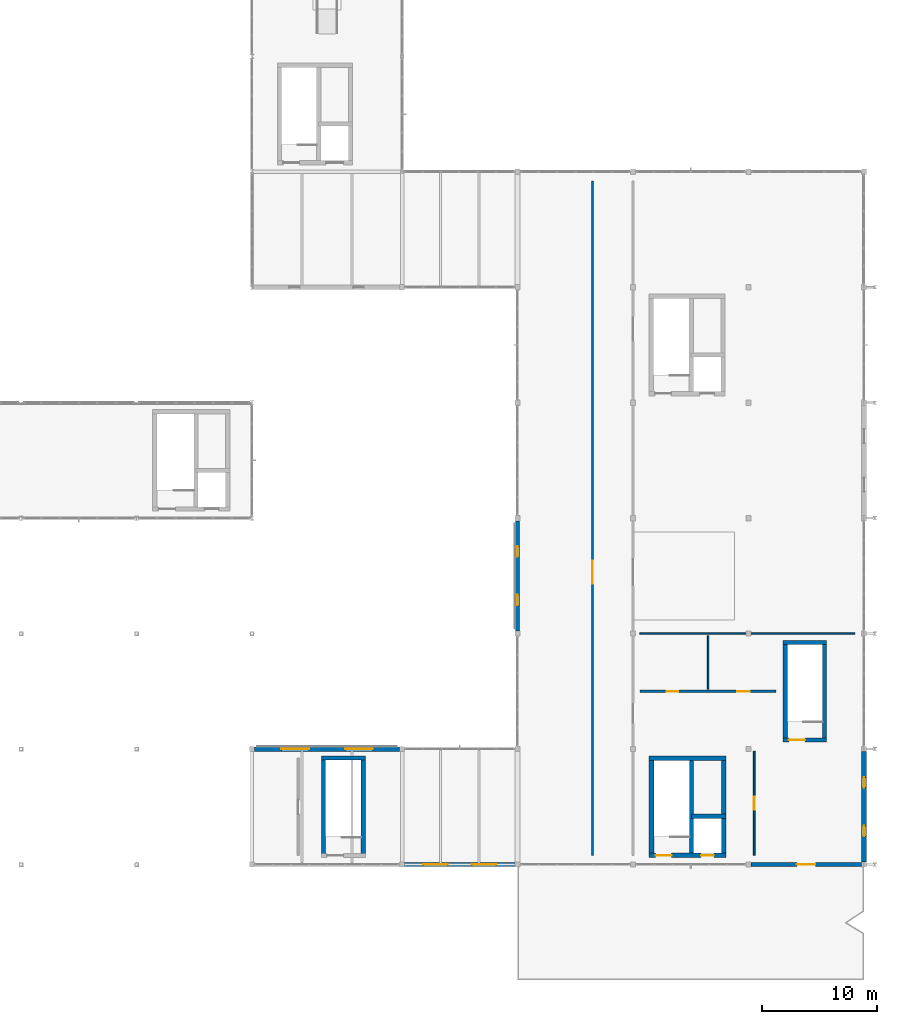
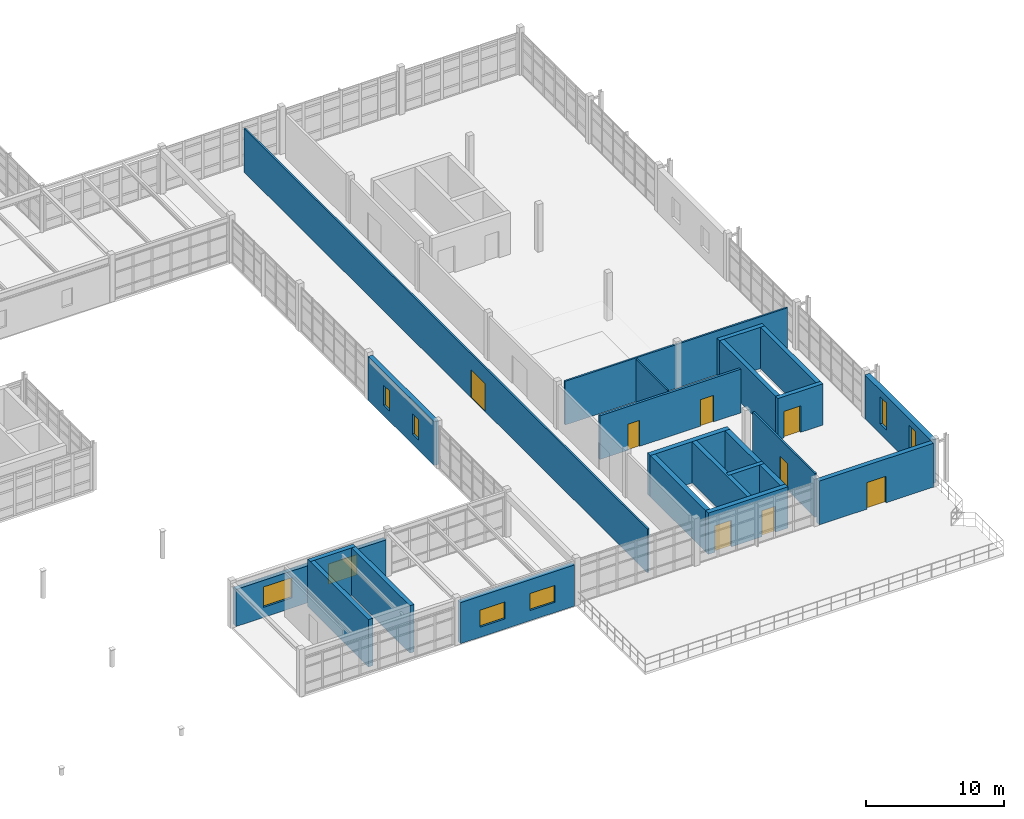
# One storey, part 109 of 122: 23 walls, 8 doors, 8 windows, 16 openings.
"""IFC4 building model written with IfcOpenShell, lengths in metres."""

from ifc_helpers import new_model, si_unit, direction, frame, frame_2d, origin, place, context, subcontext, project, spatial, rectangle, extrude, material, layer, layer_set, type_object, element, fill, save


model = new_model("IFC4")

# Units and contexts
model_context = context("Model", 3, precision=1e-05, world=origin(), true_north=direction((0.0, 1.0)))
body_context = subcontext(model_context, "Body", "Model", "MODEL_VIEW")
ifc_project = project(units=[si_unit("LENGTHUNIT", "METRE"), si_unit("AREAUNIT", "SQUARE_METRE"), si_unit("VOLUMEUNIT", "CUBIC_METRE"), si_unit("PLANEANGLEUNIT", "RADIAN"), si_unit("MASSUNIT", "GRAM", prefix="KILO"), si_unit("THERMODYNAMICTEMPERATUREUNIT", "KELVIN"), si_unit("POWERUNIT", "WATT")], contexts=[model_context])

# Site, building, storey
site_placement = place(None, origin())
site = spatial("IfcSite", under=ifc_project, at=site_placement, CompositionType="ELEMENT")
building_placement = place(site_placement, origin())
building = spatial("IfcBuilding", under=site, at=building_placement, Name="Korenveer Ferry Terminal", CompositionType="ELEMENT")
storey_placement = place(building_placement, frame((0.0, 0.0, 10.199951171875)))
storey = spatial("IfcBuildingStorey", under=building, at=storey_placement, Name="L02", CompositionType="ELEMENT", Elevation=10.199951171875)

# Wall, openings, windows
ifc_material_1 = material(Name="Insulated clinker brick masonry", Category="masonry")
ifc_layer_1 = layer(ifc_material_1, 0.3798828125)
ifc_layer_set_1 = layer_set([ifc_layer_1], Name="Insulated clinker brick masonry")
wall_type_1 = type_object("IfcWallType", Name="ENV-WL-BRK380", PredefinedType="SOLIDWALL", material=ifc_layer_set_1)
wall_1_placement = place(storey_placement, frame((136.22509765625, 20.0, 0.0), z_axis=(0.0, 0.0, 1.0), x_axis=(1.0, 0.0, 0.0)))
wall_1 = element("IfcWall", 1, at=wall_1_placement, inside=storey, type_object=wall_type_1, Name="Exterior facade wall EWL-L02-056", PredefinedType="SOLIDWALL", context=body_context, shape_type="SweptSolid", body=[
    extrude(rectangle(XDim=9.5498046875, YDim=0.3798828125, at=frame_2d((4.77490234375, 0.0))), origin(), (0.0, 0.0, 1.0), 3.630126953125),
])
opening_1_placement = place(wall_1_placement, frame((1.6240234375, 0.0, 0.89990234375)))
opening_1 = element("IfcOpeningElement", 2, at=opening_1_placement, cuts=wall_1, Name="Opening WN-23", PredefinedType="OPENING", context=body_context, shape_type="SweptSolid", body=[
    extrude(rectangle(XDim=2.10009765625, YDim=1.5, at=frame_2d((1.050048828125, 0.75))), frame((0.0, 0.199951171875, 0.0), z_axis=(0.0, -1.0, 0.0), x_axis=(1.0, 0.0, 0.0)), (0.0, 0.0, 1.0), 0.39990234375),
])
opening_2_placement = place(wall_1_placement, frame((5.825927734375, 0.0, 0.89990234375)))
opening_2 = element("IfcOpeningElement", 3, at=opening_2_placement, cuts=wall_1, Name="Opening WN-23", PredefinedType="OPENING", context=body_context, shape_type="SweptSolid", body=[
    extrude(rectangle(XDim=2.10009765625, YDim=1.5, at=frame_2d((1.050048828125, 0.75))), frame((0.0, 0.199951171875, 0.0), z_axis=(0.0, -1.0, 0.0), x_axis=(1.0, 0.0, 0.0)), (0.0, 0.0, 1.0), 0.39990234375),
])
ifc_material_2 = material(Name="Low-iron triple glazing in bronze frame", Category="glass")
window_type_1 = type_object("IfcWindowType", Name="ENV-WN-23", PartitioningType="SINGLE_PANEL", PredefinedType="WINDOW", material=ifc_material_2)
window_1_placement = place(opening_1_placement, origin())
window_1 = element("IfcWindow", 4, at=window_1_placement, inside=storey, type_object=window_type_1, Name="Lancet facade window 61", OverallHeight=1.5, OverallWidth=2.10009765625, PartitioningType="SINGLE_PANEL", PredefinedType="WINDOW", context=body_context, shape_type="SweptSolid", body=[
    extrude(rectangle(XDim=2.10009765625, YDim=1.5, at=frame_2d((1.050048828125, 0.75))), frame((0.0, 0.030029296875, 0.0), z_axis=(0.0, -1.0, 0.0), x_axis=(1.0, 0.0, 0.0)), (0.0, 0.0, 1.0), 0.06005859375),
])
fill(opening_1, window_1)
window_2_placement = place(opening_2_placement, origin())
window_2 = element("IfcWindow", 5, at=window_2_placement, inside=storey, type_object=window_type_1, Name="Lancet facade window 62", OverallHeight=1.5, OverallWidth=2.10009765625, PartitioningType="SINGLE_PANEL", PredefinedType="WINDOW", context=body_context, shape_type="SweptSolid", body=[
    extrude(rectangle(XDim=2.10009765625, YDim=1.5, at=frame_2d((1.050048828125, 0.75))), frame((0.0, 0.030029296875, 0.0), z_axis=(0.0, -1.0, 0.0), x_axis=(1.0, 0.0, 0.0)), (0.0, 0.0, 1.0), 0.06005859375),
])
fill(opening_2, window_2)

# Wall, opening, door
wall_2_placement = place(storey_placement, frame((166.22509765625, 20.0, 0.0), z_axis=(0.0, 0.0, 1.0), x_axis=(1.0, 0.0, 0.0)))
wall_2 = element("IfcWall", 6, at=wall_2_placement, inside=storey, type_object=wall_type_1, Name="Exterior facade wall EWL-L02-057", PredefinedType="SOLIDWALL", context=body_context, shape_type="SweptSolid", body=[
    extrude(rectangle(XDim=9.5498046875, YDim=0.3798828125, at=frame_2d((4.77490234375, 0.0))), origin(), (0.0, 0.0, 1.0), 3.880126953125),
])
opening_3_placement = place(wall_2_placement, frame((3.97509765625, 0.0, 0.0)))
opening_3 = element("IfcOpeningElement", 7, at=opening_3_placement, cuts=wall_2, Name="Opening TD-202", PredefinedType="OPENING", context=body_context, shape_type="SweptSolid", body=[
    extrude(rectangle(XDim=1.60009765625, YDim=2.35009765625, at=frame_2d((0.800048828125, 1.175048828125))), frame((0.0, 0.199951171875, 0.0), z_axis=(0.0, -1.0, 0.0), x_axis=(1.0, 0.0, 0.0)), (0.0, 0.0, 1.0), 0.39990234375),
])
ifc_material_3 = material(Name="Thermally broken bronze glazed door", Category="aluminium")
door_type_1 = type_object("IfcDoorType", Name="ENV-DR-TERR160", OperationType="DOUBLE_DOOR_SINGLE_SWING", PredefinedType="DOOR", material=ifc_material_3)
door_1_placement = place(opening_3_placement, origin())
door_1 = element("IfcDoor", 8, at=door_1_placement, inside=storey, type_object=door_type_1, Name="East Public Roof Promenade Door TD-202", OperationType="DOUBLE_DOOR_SINGLE_SWING", OverallHeight=2.35009765625, OverallWidth=1.60009765625, PredefinedType="DOOR", context=body_context, shape_type="SweptSolid", body=[
    extrude(rectangle(XDim=1.60009765625, YDim=2.35009765625, at=frame_2d((0.800048828125, 1.175048828125))), frame((0.0, 0.02490234375, 0.0), z_axis=(0.0, -1.0, 0.0), x_axis=(1.0, 0.0, 0.0)), (0.0, 0.0, 1.0), 0.050048828125),
])
fill(opening_3, door_1)

# Wall, openings, windows
wall_3_placement = place(storey_placement, frame((123.22509765625, 30.0, 0.0), z_axis=(0.0, 0.0, 1.0), x_axis=(1.0, 0.0, 0.0)))
wall_3 = element("IfcWall", 9, at=wall_3_placement, inside=storey, type_object=wall_type_1, Name="Exterior facade wall EWL-L02-058", PredefinedType="SOLIDWALL", context=body_context, shape_type="SweptSolid", body=[
    extrude(rectangle(XDim=12.5498046875, YDim=0.3798828125, at=frame_2d((6.27490234375, 0.0))), origin(), (0.0, 0.0, 1.0), 3.280029296875),
])
opening_4_placement = place(wall_3_placement, frame((2.31396484375, 0.0, 0.89990234375)))
opening_4 = element("IfcOpeningElement", 10, at=opening_4_placement, cuts=wall_3, Name="Opening WN-30", PredefinedType="OPENING", context=body_context, shape_type="SweptSolid", body=[
    extrude(rectangle(XDim=2.39990234375, YDim=1.800048828125, at=frame_2d((1.199951171875, 0.89990234375))), frame((0.0, 0.199951171875, 0.0), z_axis=(0.0, -1.0, 0.0), x_axis=(1.0, 0.0, 0.0)), (0.0, 0.0, 1.0), 0.39990234375),
])
opening_5_placement = place(wall_3_placement, frame((7.8359375, 0.0, 0.89990234375)))
opening_5 = element("IfcOpeningElement", 11, at=opening_5_placement, cuts=wall_3, Name="Opening WN-30", PredefinedType="OPENING", context=body_context, shape_type="SweptSolid", body=[
    extrude(rectangle(XDim=2.39990234375, YDim=1.800048828125, at=frame_2d((1.199951171875, 0.89990234375))), frame((0.0, 0.199951171875, 0.0), z_axis=(0.0, -1.0, 0.0), x_axis=(1.0, 0.0, 0.0)), (0.0, 0.0, 1.0), 0.39990234375),
])
window_type_2 = type_object("IfcWindowType", Name="ENV-WN-30", PartitioningType="SINGLE_PANEL", PredefinedType="WINDOW", material=ifc_material_2)
window_3_placement = place(opening_4_placement, origin())
window_3 = element("IfcWindow", 12, at=window_3_placement, inside=storey, type_object=window_type_2, Name="Lancet facade window 63", OverallHeight=1.800048828125, OverallWidth=2.39990234375, PartitioningType="SINGLE_PANEL", PredefinedType="WINDOW", context=body_context, shape_type="SweptSolid", body=[
    extrude(rectangle(XDim=2.39990234375, YDim=1.800048828125, at=frame_2d((1.199951171875, 0.89990234375))), frame((0.0, 0.030029296875, 0.0), z_axis=(0.0, -1.0, 0.0), x_axis=(1.0, 0.0, 0.0)), (0.0, 0.0, 1.0), 0.06005859375),
])
fill(opening_4, window_3)
window_4_placement = place(opening_5_placement, origin())
window_4 = element("IfcWindow", 13, at=window_4_placement, inside=storey, type_object=window_type_2, Name="Lancet facade window 64", OverallHeight=1.800048828125, OverallWidth=2.39990234375, PartitioningType="SINGLE_PANEL", PredefinedType="WINDOW", context=body_context, shape_type="SweptSolid", body=[
    extrude(rectangle(XDim=2.39990234375, YDim=1.800048828125, at=frame_2d((1.199951171875, 0.89990234375))), frame((0.0, 0.030029296875, 0.0), z_axis=(0.0, -1.0, 0.0), x_axis=(1.0, 0.0, 0.0)), (0.0, 0.0, 1.0), 0.06005859375),
])
fill(opening_5, window_4)

wall_4_placement = place(storey_placement, frame((146.0, 40.22509765625, 0.0), z_axis=(0.0, 0.0, 1.0), x_axis=(0.0, 1.0, 0.0)))
wall_4 = element("IfcWall", 14, at=wall_4_placement, inside=storey, type_object=wall_type_1, Name="Exterior facade wall EWL-L02-064", PredefinedType="SOLIDWALL", context=body_context, shape_type="SweptSolid", body=[
    extrude(rectangle(XDim=9.5498046875, YDim=0.3798828125, at=frame_2d((4.77490234375, 0.0))), origin(), (0.0, 0.0, 1.0), 3.880126953125),
])
opening_6_placement = place(wall_4_placement, frame((2.22412109375, 0.0, 0.89990234375)))
opening_6 = element("IfcOpeningElement", 15, at=opening_6_placement, cuts=wall_4, Name="Opening WN-02", PredefinedType="OPENING", context=body_context, shape_type="SweptSolid", body=[
    extrude(rectangle(XDim=0.89990234375, YDim=1.800048828125, at=frame_2d((0.449951171875, 0.89990234375))), frame((0.0, 0.199951171875, 0.0), z_axis=(0.0, -1.0, 0.0), x_axis=(1.0, 0.0, 0.0)), (0.0, 0.0, 1.0), 0.39990234375),
])
opening_7_placement = place(wall_4_placement, frame((6.426025390625, 0.0, 0.89990234375)))
opening_7 = element("IfcOpeningElement", 16, at=opening_7_placement, cuts=wall_4, Name="Opening WN-02", PredefinedType="OPENING", context=body_context, shape_type="SweptSolid", body=[
    extrude(rectangle(XDim=0.89990234375, YDim=1.800048828125, at=frame_2d((0.449951171875, 0.89990234375))), frame((0.0, 0.199951171875, 0.0), z_axis=(0.0, -1.0, 0.0), x_axis=(1.0, 0.0, 0.0)), (0.0, 0.0, 1.0), 0.39990234375),
])
window_type_3 = type_object("IfcWindowType", Name="ENV-WN-02", PartitioningType="SINGLE_PANEL", PredefinedType="WINDOW", material=ifc_material_2)
window_5_placement = place(opening_6_placement, origin())
window_5 = element("IfcWindow", 17, at=window_5_placement, inside=storey, type_object=window_type_3, Name="Lancet facade window 75", OverallHeight=1.800048828125, OverallWidth=0.89990234375, PartitioningType="SINGLE_PANEL", PredefinedType="WINDOW", context=body_context, shape_type="SweptSolid", body=[
    extrude(rectangle(XDim=0.89990234375, YDim=1.800048828125, at=frame_2d((0.449951171875, 0.89990234375))), frame((0.0, 0.030029296875, 0.0), z_axis=(0.0, -1.0, 0.0), x_axis=(1.0, 0.0, 0.0)), (0.0, 0.0, 1.0), 0.06005859375),
])
fill(opening_6, window_5)
window_6_placement = place(opening_7_placement, origin())
window_6 = element("IfcWindow", 18, at=window_6_placement, inside=storey, type_object=window_type_3, Name="Lancet facade window 76", OverallHeight=1.800048828125, OverallWidth=0.89990234375, PartitioningType="SINGLE_PANEL", PredefinedType="WINDOW", context=body_context, shape_type="SweptSolid", body=[
    extrude(rectangle(XDim=0.89990234375, YDim=1.800048828125, at=frame_2d((0.449951171875, 0.89990234375))), frame((0.0, 0.030029296875, 0.0), z_axis=(0.0, -1.0, 0.0), x_axis=(1.0, 0.0, 0.0)), (0.0, 0.0, 1.0), 0.06005859375),
])
fill(opening_7, window_6)

ifc_layer_2 = layer(ifc_material_1, 0.43994140625)
ifc_layer_set_2 = layer_set([ifc_layer_2], Name="Insulated clinker brick masonry")
wall_type_2 = type_object("IfcWallType", Name="ENV-WL-BRK440", PredefinedType="SOLIDWALL", material=ifc_layer_set_2)
wall_5_placement = place(storey_placement, frame((176.0, 29.77490234375, 0.0), z_axis=(0.0, 0.0, 1.0), x_axis=(0.0, -1.0, 0.0)))
wall_5 = element("IfcWall", 19, at=wall_5_placement, inside=storey, type_object=wall_type_2, Name="Exterior facade wall EWL-L02-065", PredefinedType="SOLIDWALL", context=body_context, shape_type="SweptSolid", body=[
    extrude(rectangle(XDim=9.5498046875, YDim=0.43994140625, at=frame_2d((4.77490234375, 0.0))), origin(), (0.0, 0.0, 1.0), 3.880126953125),
])
opening_8_placement = place(wall_5_placement, frame((2.22412109375, 0.0, 0.89990234375)))
opening_8 = element("IfcOpeningElement", 20, at=opening_8_placement, cuts=wall_5, Name="Opening WN-04", PredefinedType="OPENING", context=body_context, shape_type="SweptSolid", body=[
    extrude(rectangle(XDim=0.89990234375, YDim=2.39990234375, at=frame_2d((0.449951171875, 1.199951171875))), frame((0.0, 0.22998046875, 0.0), z_axis=(0.0, -1.0, 0.0), x_axis=(1.0, 0.0, 0.0)), (0.0, 0.0, 1.0), 0.4599609375),
])
opening_9_placement = place(wall_5_placement, frame((6.426025390625, 0.0, 0.89990234375)))
opening_9 = element("IfcOpeningElement", 21, at=opening_9_placement, cuts=wall_5, Name="Opening WN-04", PredefinedType="OPENING", context=body_context, shape_type="SweptSolid", body=[
    extrude(rectangle(XDim=0.89990234375, YDim=2.39990234375, at=frame_2d((0.449951171875, 1.199951171875))), frame((0.0, 0.22998046875, 0.0), z_axis=(0.0, -1.0, 0.0), x_axis=(1.0, 0.0, 0.0)), (0.0, 0.0, 1.0), 0.4599609375),
])
window_type_4 = type_object("IfcWindowType", Name="ENV-WN-04", PartitioningType="SINGLE_PANEL", PredefinedType="WINDOW", material=ifc_material_2)
window_7_placement = place(opening_8_placement, origin())
window_7 = element("IfcWindow", 22, at=window_7_placement, inside=storey, type_object=window_type_4, Name="Lancet facade window 77", OverallHeight=2.39990234375, OverallWidth=0.89990234375, PartitioningType="SINGLE_PANEL", PredefinedType="WINDOW", context=body_context, shape_type="SweptSolid", body=[
    extrude(rectangle(XDim=0.89990234375, YDim=2.39990234375, at=frame_2d((0.449951171875, 1.199951171875))), frame((0.0, 0.030029296875, 0.0), z_axis=(0.0, -1.0, 0.0), x_axis=(1.0, 0.0, 0.0)), (0.0, 0.0, 1.0), 0.06005859375),
])
fill(opening_8, window_7)
window_8_placement = place(opening_9_placement, origin())
window_8 = element("IfcWindow", 23, at=window_8_placement, inside=storey, type_object=window_type_4, Name="Lancet facade window 78", OverallHeight=2.39990234375, OverallWidth=0.89990234375, PartitioningType="SINGLE_PANEL", PredefinedType="WINDOW", context=body_context, shape_type="SweptSolid", body=[
    extrude(rectangle(XDim=0.89990234375, YDim=2.39990234375, at=frame_2d((0.449951171875, 1.199951171875))), frame((0.0, 0.030029296875, 0.0), z_axis=(0.0, -1.0, 0.0), x_axis=(1.0, 0.0, 0.0)), (0.0, 0.0, 1.0), 0.06005859375),
])
fill(opening_9, window_8)

# Wall, openings, doors
ifc_material_4 = material(Name="Acoustic fire-rated twin-stud partition", Category="other")
ifc_layer_3 = layer(ifc_material_4, 0.199951171875)
ifc_layer_set_3 = layer_set([ifc_layer_3], Name="Acoustic fire-rated twin-stud partition")
wall_type_3 = type_object("IfcWallType", Name="INT-WL-COMP200", PredefinedType="PARTITIONING", material=ifc_layer_set_3)
wall_6_placement = place(storey_placement, frame((156.60009765625, 35.0, 0.0), z_axis=(0.0, 0.0, 1.0), x_axis=(1.0, 0.0, 0.0)))
wall_6 = element("IfcWall", 24, at=wall_6_placement, inside=storey, type_object=wall_type_3, Name="Interior partition PWL-L02-046", PredefinedType="PARTITIONING", context=body_context, shape_type="SweptSolid", body=[
    extrude(rectangle(XDim=11.7998046875, YDim=0.199951171875, at=frame_2d((5.89990234375, 0.0))), origin(), (0.0, 0.0, 1.0), 3.860107421875),
])
opening_10_placement = place(wall_6_placement, frame((2.342041015625, 0.0, 0.0)))
opening_10 = element("IfcOpeningElement", 25, at=opening_10_placement, cuts=wall_6, Name="Opening ID-059", PredefinedType="OPENING", context=body_context, shape_type="SweptSolid", body=[
    extrude(rectangle(XDim=0.97998046875, YDim=2.300048828125, at=frame_2d((0.489990234375, 1.14990234375))), frame((0.0, 0.10986328125, 0.0), z_axis=(0.0, -1.0, 0.0), x_axis=(1.0, 0.0, 0.0)), (0.0, 0.0, 1.0), 0.219970703125),
])
opening_11_placement = place(wall_6_placement, frame((8.427978515625, 0.0, 0.0)))
opening_11 = element("IfcOpeningElement", 26, at=opening_11_placement, cuts=wall_6, Name="Opening ID-060", PredefinedType="OPENING", context=body_context, shape_type="SweptSolid", body=[
    extrude(rectangle(XDim=1.080078125, YDim=2.35009765625, at=frame_2d((0.5400390625, 1.175048828125))), frame((0.0, 0.10986328125, 0.0), z_axis=(0.0, -1.0, 0.0), x_axis=(1.0, 0.0, 0.0)), (0.0, 0.0, 1.0), 0.219970703125),
])
ifc_material_5 = material(Name="Solid hardwood and steel acoustic door", Category="steel")
door_type_2 = type_object("IfcDoorType", Name="INT-DR-AWC108", OperationType="NOTDEFINED", PredefinedType="DOOR", material=ifc_material_5)
door_2_placement = place(opening_11_placement, origin())
door_2 = element("IfcDoor", 27, at=door_2_placement, inside=storey, type_object=door_type_2, Name="L02 East Accessible WC Door", OperationType="SINGLE_SWING_LEFT", OverallHeight=2.35009765625, OverallWidth=1.080078125, PredefinedType="DOOR", context=body_context, shape_type="SweptSolid", body=[
    extrude(rectangle(XDim=1.080078125, YDim=2.35009765625, at=frame_2d((0.5400390625, 1.175048828125))), frame((0.0, 0.02490234375, 0.0), z_axis=(0.0, -1.0, 0.0), x_axis=(1.0, 0.0, 0.0)), (0.0, 0.0, 1.0), 0.050048828125),
])
fill(opening_11, door_2)
door_type_3 = type_object("IfcDoorType", Name="INT-DR-WC098", OperationType="NOTDEFINED", PredefinedType="DOOR", material=ifc_material_5)
door_3_placement = place(opening_10_placement, origin())
door_3 = element("IfcDoor", 28, at=door_3_placement, inside=storey, type_object=door_type_3, Name="L02 East Public WC Door", OperationType="SINGLE_SWING_RIGHT", OverallHeight=2.300048828125, OverallWidth=0.97998046875, PredefinedType="DOOR", context=body_context, shape_type="SweptSolid", body=[
    extrude(rectangle(XDim=0.97998046875, YDim=2.300048828125, at=frame_2d((0.489990234375, 1.14990234375))), frame((0.0, 0.02490234375, 0.0), z_axis=(0.0, -1.0, 0.0), x_axis=(1.0, 0.0, 0.0)), (0.0, 0.0, 1.0), 0.050048828125),
])
fill(opening_10, door_3)

# Walls
ifc_material_6 = material(Name="Concrete C45/55", Category="concrete")
ifc_layer_4 = layer(ifc_material_6, 0.360107421875)
ifc_layer_set_4 = layer_set([ifc_layer_4], Name="Concrete C45/55")
wall_type_4 = type_object("IfcWallType", Name="INT-WL-CORE360", PredefinedType="SHEAR", material=ifc_layer_set_4)
wall_7_placement = place(storey_placement, frame((161.080078125, 20.60009765625, 0.0), z_axis=(0.0, 0.0, 1.0), x_axis=(0.0, 1.0, 0.0)))
element("IfcWall", 29, at=wall_7_placement, inside=storey, type_object=wall_type_4, Name="East Firefighting Core K3 shaft divider wall L02", PredefinedType="SHEAR", context=body_context, shape_type="SweptSolid", body=[
    extrude(rectangle(XDim=8.7998046875, YDim=0.360107421875, at=frame_2d((4.39990234375, 0.0))), origin(), (0.0, 0.0, 1.0), 3.650146484375),
])
wall_8_placement = place(storey_placement, frame((161.080078125, 24.179931640625, 0.0), z_axis=(0.0, 0.0, 1.0), x_axis=(1.0, 0.0, 0.0)))
element("IfcWall", 30, at=wall_8_placement, inside=storey, type_object=wall_type_4, Name="East Firefighting Core K3 lift shaft wall L02", PredefinedType="SHEAR", context=body_context, shape_type="SweptSolid", body=[
    extrude(rectangle(XDim=2.97998046875, YDim=0.360107421875, at=frame_2d((1.489990234375, 0.0))), origin(), (0.0, 0.0, 1.0), 3.650146484375),
])
wall_9_placement = place(storey_placement, frame((129.0, 29.219970703125, 0.0), z_axis=(0.0, 0.0, 1.0), x_axis=(1.0, 0.0, 0.0)))
element("IfcWall", 31, at=wall_9_placement, inside=storey, type_object=wall_type_4, Name="Arrivals East Stair Core K10 north shear wall L02", PredefinedType="SHEAR", context=body_context, shape_type="SweptSolid", body=[
    extrude(rectangle(XDim=3.820068359375, YDim=0.360107421875, at=frame_2d((1.91015625, 0.0))), origin(), (0.0, 0.0, 1.0), 4.199951171875),
])
for number, where, z_axis, x_axis, name in (
    (32, (129.179931640625, 20.60009765625, 0.0), (0.0, 0.0, 1.0), (0.0, 1.0, 0.0), "Arrivals East Stair Core K10 west shear wall L02"),
    (33, (132.639892578125, 20.60009765625, 0.0), (0.0, 0.0, 1.0), (0.0, 1.0, 0.0), "Arrivals East Stair Core K10 east shear wall L02"),
):
    element("IfcWall", number, at=place(storey_placement, frame(where, z_axis=z_axis, x_axis=x_axis)), inside=storey, type_object=wall_type_4, Name=name, PredefinedType="SHEAR", context=body_context, shape_type="SweptSolid", body=[
        extrude(rectangle(XDim=8.7998046875, YDim=0.360107421875, at=frame_2d((4.39990234375, 0.0))), origin(), (0.0, 0.0, 1.0), 4.199951171875),
    ])

# Wall, opening, door
wall_10_placement = place(storey_placement, frame((169.0, 30.780029296875, 0.0), z_axis=(0.0, 0.0, 1.0), x_axis=(1.0, 0.0, 0.0)))
wall_10 = element("IfcWall", 34, at=wall_10_placement, inside=storey, type_object=wall_type_4, Name="Schengen South Stair Core K12 south shear wall L02", PredefinedType="SHEAR", context=body_context, shape_type="SweptSolid", body=[
    extrude(rectangle(XDim=3.760009765625, YDim=0.360107421875, at=frame_2d((1.8798828125, 0.0))), origin(), (0.0, 0.0, 1.0), 3.650146484375),
])
opening_12_placement = place(wall_10_placement, frame((0.510009765625, 0.0, 0.0)))
opening_12 = element("IfcOpeningElement", 35, at=opening_12_placement, cuts=wall_10, Name="Opening SD-41", PredefinedType="OPENING", context=body_context, shape_type="SweptSolid", body=[
    extrude(rectangle(XDim=1.39990234375, YDim=2.35009765625, at=frame_2d((0.699951171875, 1.175048828125))), frame((0.0, 0.18994140625, 0.0), z_axis=(0.0, -1.0, 0.0), x_axis=(1.0, 0.0, 0.0)), (0.0, 0.0, 1.0), 0.380126953125),
])
door_type_4 = type_object("IfcDoorType", Name="INT-DR-ST140", OperationType="NOTDEFINED", PredefinedType="DOOR", material=ifc_material_5)
door_4_placement = place(opening_12_placement, origin())
door_4 = element("IfcDoor", 36, at=door_4_placement, inside=storey, type_object=door_type_4, Name="ST12 Stair Door L02", OperationType="SINGLE_SWING_LEFT", OverallHeight=2.35009765625, OverallWidth=1.39990234375, PredefinedType="DOOR", context=body_context, shape_type="SweptSolid", body=[
    extrude(rectangle(XDim=1.39990234375, YDim=2.35009765625, at=frame_2d((0.699951171875, 1.175048828125))), frame((0.0, 0.02490234375, 0.0), z_axis=(0.0, -1.0, 0.0), x_axis=(1.0, 0.0, 0.0)), (0.0, 0.0, 1.0), 0.050048828125),
])
fill(opening_12, door_4)

# Walls
wall_11_placement = place(storey_placement, frame((169.0, 39.219970703125, 0.0), z_axis=(0.0, 0.0, 1.0), x_axis=(1.0, 0.0, 0.0)))
element("IfcWall", 37, at=wall_11_placement, inside=storey, type_object=wall_type_4, Name="Schengen South Stair Core K12 north shear wall L02", PredefinedType="SHEAR", context=body_context, shape_type="SweptSolid", body=[
    extrude(rectangle(XDim=3.760009765625, YDim=0.360107421875, at=frame_2d((1.8798828125, 0.0))), origin(), (0.0, 0.0, 1.0), 3.650146484375),
])
for number, where, z_axis, x_axis, name in (
    (38, (169.179931640625, 30.60009765625, 0.0), (0.0, 0.0, 1.0), (0.0, 1.0, 0.0), "Schengen South Stair Core K12 west shear wall L02"),
    (39, (172.580078125, 30.60009765625, 0.0), (0.0, 0.0, 1.0), (0.0, 1.0, 0.0), "Schengen South Stair Core K12 east shear wall L02"),
):
    element("IfcWall", number, at=place(storey_placement, frame(where, z_axis=z_axis, x_axis=x_axis)), inside=storey, type_object=wall_type_4, Name=name, PredefinedType="SHEAR", context=body_context, shape_type="SweptSolid", body=[
        extrude(rectangle(XDim=8.7998046875, YDim=0.360107421875, at=frame_2d((4.39990234375, 0.0))), origin(), (0.0, 0.0, 1.0), 3.650146484375),
    ])

# Wall, openings, doors
ifc_layer_5 = layer(ifc_material_6, 0.39990234375)
ifc_layer_set_5 = layer_set([ifc_layer_5], Name="Concrete C45/55")
wall_type_5 = type_object("IfcWallType", Name="INT-WL-CORE400", PredefinedType="SHEAR", material=ifc_layer_set_5)
wall_12_placement = place(storey_placement, frame((157.39990234375, 20.800048828125, 0.0), z_axis=(0.0, 0.0, 1.0), x_axis=(1.0, 0.0, 0.0)))
wall_12 = element("IfcWall", 40, at=wall_12_placement, inside=storey, type_object=wall_type_5, Name="East Firefighting Core K3 south shear wall L02", PredefinedType="SHEAR", context=body_context, shape_type="SweptSolid", body=[
    extrude(rectangle(XDim=6.66015625, YDim=0.39990234375, at=frame_2d((3.330078125, 0.0))), origin(), (0.0, 0.0, 1.0), 3.650146484375),
])
opening_13_placement = place(wall_12_placement, frame((0.550048828125, 0.0, 0.0)))
opening_13 = element("IfcOpeningElement", 41, at=opening_13_placement, cuts=wall_12, Name="Opening SD-13", PredefinedType="OPENING", context=body_context, shape_type="SweptSolid", body=[
    extrude(rectangle(XDim=1.39990234375, YDim=2.35009765625, at=frame_2d((0.699951171875, 1.175048828125))), frame((0.0, 0.2099609375, 0.0), z_axis=(0.0, -1.0, 0.0), x_axis=(1.0, 0.0, 0.0)), (0.0, 0.0, 1.0), 0.419921875),
])
opening_14_placement = place(wall_12_placement, frame((4.510009765625, 0.0, 0.0)))
opening_14 = element("IfcOpeningElement", 42, at=opening_14_placement, cuts=wall_12, Name="Opening LD-13", PredefinedType="OPENING", context=body_context, shape_type="SweptSolid", body=[
    extrude(rectangle(XDim=1.10009765625, YDim=2.300048828125, at=frame_2d((0.550048828125, 1.14990234375))), frame((0.0, 0.2099609375, 0.0), z_axis=(0.0, -1.0, 0.0), x_axis=(1.0, 0.0, 0.0)), (0.0, 0.0, 1.0), 0.419921875),
])
door_type_5 = type_object("IfcDoorType", Name="INT-DR-LD110", OperationType="SLIDING_TO_LEFT", PredefinedType="DOOR", material=ifc_material_5)
door_5_placement = place(opening_14_placement, origin())
door_5 = element("IfcDoor", 43, at=door_5_placement, inside=storey, type_object=door_type_5, Name="Lift FL2 Sliding Landing Door L02", OperationType="SLIDING_TO_LEFT", OverallHeight=2.300048828125, OverallWidth=1.10009765625, PredefinedType="DOOR", context=body_context, shape_type="SweptSolid", body=[
    extrude(rectangle(XDim=1.10009765625, YDim=2.300048828125, at=frame_2d((0.550048828125, 1.14990234375))), frame((0.0, 0.02490234375, 0.0), z_axis=(0.0, -1.0, 0.0), x_axis=(1.0, 0.0, 0.0)), (0.0, 0.0, 1.0), 0.050048828125),
])
fill(opening_14, door_5)
door_6_placement = place(opening_13_placement, origin())
door_6 = element("IfcDoor", 44, at=door_6_placement, inside=storey, type_object=door_type_4, Name="ST03 Stair Door L02", OperationType="SINGLE_SWING_LEFT", OverallHeight=2.35009765625, OverallWidth=1.39990234375, PredefinedType="DOOR", context=body_context, shape_type="SweptSolid", body=[
    extrude(rectangle(XDim=1.39990234375, YDim=2.35009765625, at=frame_2d((0.699951171875, 1.175048828125))), frame((0.0, 0.02490234375, 0.0), z_axis=(0.0, -1.0, 0.0), x_axis=(1.0, 0.0, 0.0)), (0.0, 0.0, 1.0), 0.050048828125),
])
fill(opening_13, door_6)

# Walls
wall_13_placement = place(storey_placement, frame((157.39990234375, 29.199951171875, 0.0), z_axis=(0.0, 0.0, 1.0), x_axis=(1.0, 0.0, 0.0)))
element("IfcWall", 45, at=wall_13_placement, inside=storey, type_object=wall_type_5, Name="East Firefighting Core K3 north shear wall L02", PredefinedType="SHEAR", context=body_context, shape_type="SweptSolid", body=[
    extrude(rectangle(XDim=6.66015625, YDim=0.39990234375, at=frame_2d((3.330078125, 0.0))), origin(), (0.0, 0.0, 1.0), 3.650146484375),
])
for number, where, z_axis, x_axis, name in (
    (46, (157.60009765625, 20.60009765625, 0.0), (0.0, 0.0, 1.0), (0.0, 1.0, 0.0), "East Firefighting Core K3 west shear wall L02"),
    (47, (163.860107421875, 20.60009765625, 0.0), (0.0, 0.0, 1.0), (0.0, 1.0, 0.0), "East Firefighting Core K3 east shear wall L02"),
):
    element("IfcWall", number, at=place(storey_placement, frame(where, z_axis=z_axis, x_axis=x_axis)), inside=storey, type_object=wall_type_5, Name=name, PredefinedType="SHEAR", context=body_context, shape_type="SweptSolid", body=[
        extrude(rectangle(XDim=8.7998046875, YDim=0.39990234375, at=frame_2d((4.39990234375, 0.0))), origin(), (0.0, 0.0, 1.0), 3.650146484375),
    ])
ifc_material_7 = material(Name="Lightweight wet-room stud partition", Category="other")
ifc_layer_6 = layer(ifc_material_7, 0.1201171875)
ifc_layer_set_6 = layer_set([ifc_layer_6], Name="Lightweight wet-room stud partition")
wall_type_6 = type_object("IfcWallType", Name="INT-WL-PART120", PredefinedType="PARTITIONING", material=ifc_layer_set_6)
wall_14_placement = place(storey_placement, frame((162.5, 35.199951171875, 0.0), z_axis=(0.0, 0.0, 1.0), x_axis=(0.0, 1.0, 0.0)))
element("IfcWall", 48, at=wall_14_placement, inside=storey, type_object=wall_type_6, Name="Interior partition PWL-L02-047", PredefinedType="PARTITIONING", context=body_context, shape_type="SweptSolid", body=[
    extrude(rectangle(XDim=4.60009765625, YDim=0.1201171875, at=frame_2d((2.300048828125, 0.0))), origin(), (0.0, 0.0, 1.0), 3.860107421875),
])

# Wall, opening, door
ifc_material_8 = material(Name="Acoustic gypsum board stud partition", Category="other")
ifc_layer_7 = layer(ifc_material_8, 0.14990234375)
ifc_layer_set_7 = layer_set([ifc_layer_7], Name="Acoustic gypsum board stud partition")
wall_type_7 = type_object("IfcWallType", Name="INT-WL-PART150", PredefinedType="PARTITIONING", material=ifc_layer_set_7)
wall_15_placement = place(storey_placement, frame((152.5, 20.800048828125, 0.0), z_axis=(0.0, 0.0, 1.0), x_axis=(0.0, 1.0, 0.0)))
wall_15 = element("IfcWall", 49, at=wall_15_placement, inside=storey, type_object=wall_type_7, Name="Interior partition PWL-L02-043", PredefinedType="PARTITIONING", context=body_context, shape_type="SweptSolid", body=[
    extrude(rectangle(XDim=58.39990234375, YDim=0.14990234375, at=frame_2d((29.199951171875, 0.0))), origin(), (0.0, 0.0, 1.0), 3.860107421875),
])
opening_15_placement = place(wall_15_placement, frame((23.528076171875, 0.0, 0.0)))
opening_15 = element("IfcOpeningElement", 50, at=opening_15_placement, cuts=wall_15, Name="Opening ID-054", PredefinedType="OPENING", context=body_context, shape_type="SweptSolid", body=[
    extrude(rectangle(XDim=2.0, YDim=2.449951171875, at=frame_2d((1.0, 1.22509765625))), frame((0.0, 0.0849609375, 0.0), z_axis=(0.0, -1.0, 0.0), x_axis=(1.0, 0.0, 0.0)), (0.0, 0.0, 1.0), 0.169921875),
])
door_type_6 = type_object("IfcDoorType", Name="INT-DR-CON200U", OperationType="DOUBLE_DOOR_SINGLE_SWING", PredefinedType="DOOR", material=ifc_material_5)
door_7_placement = place(opening_15_placement, origin())
door_7 = element("IfcDoor", 51, at=door_7_placement, inside=storey, type_object=door_type_6, Name="Cloister Overlook Gallery Door", OperationType="DOUBLE_DOOR_SINGLE_SWING", OverallHeight=2.449951171875, OverallWidth=2.0, PredefinedType="DOOR", context=body_context, shape_type="SweptSolid", body=[
    extrude(rectangle(XDim=2.0, YDim=2.449951171875, at=frame_2d((1.0, 1.22509765625))), frame((0.0, 0.02490234375, 0.0), z_axis=(0.0, -1.0, 0.0), x_axis=(1.0, 0.0, 0.0)), (0.0, 0.0, 1.0), 0.050048828125),
])
fill(opening_15, door_7)

wall_16_placement = place(storey_placement, frame((166.5, 20.800048828125, 0.0), z_axis=(0.0, 0.0, 1.0), x_axis=(0.0, 1.0, 0.0)))
wall_16 = element("IfcWall", 52, at=wall_16_placement, inside=storey, type_object=wall_type_7, Name="Interior partition PWL-L02-045", PredefinedType="PARTITIONING", context=body_context, shape_type="SweptSolid", body=[
    extrude(rectangle(XDim=9.0, YDim=0.14990234375, at=frame_2d((4.5, 0.0))), origin(), (0.0, 0.0, 1.0), 3.860107421875),
])
opening_16_placement = place(wall_16_placement, frame((3.925048828125, 0.0, 0.0)))
opening_16 = element("IfcOpeningElement", 53, at=opening_16_placement, cuts=wall_16, Name="Opening ID-058", PredefinedType="OPENING", context=body_context, shape_type="SweptSolid", body=[
    extrude(rectangle(XDim=1.14990234375, YDim=2.35009765625, at=frame_2d((0.574951171875, 1.175048828125))), frame((0.0, 0.0849609375, 0.0), z_axis=(0.0, -1.0, 0.0), x_axis=(1.0, 0.0, 0.0)), (0.0, 0.0, 1.0), 0.169921875),
])
door_type_7 = type_object("IfcDoorType", Name="INT-DR-RM115A", OperationType="NOTDEFINED", PredefinedType="DOOR", material=ifc_material_5)
door_8_placement = place(opening_16_placement, origin())
door_8 = element("IfcDoor", 54, at=door_8_placement, inside=storey, type_object=door_type_7, Name="Schengen Promenade Lounge Door", OperationType="SINGLE_SWING_LEFT", OverallHeight=2.35009765625, OverallWidth=1.14990234375, PredefinedType="DOOR", context=body_context, shape_type="SweptSolid", body=[
    extrude(rectangle(XDim=1.14990234375, YDim=2.35009765625, at=frame_2d((0.574951171875, 1.175048828125))), frame((0.0, 0.02490234375, 0.0), z_axis=(0.0, -1.0, 0.0), x_axis=(1.0, 0.0, 0.0)), (0.0, 0.0, 1.0), 0.050048828125),
])
fill(opening_16, door_8)

# Wall
wall_17_placement = place(storey_placement, frame((156.60009765625, 40.0, 0.0), z_axis=(0.0, 0.0, 1.0), x_axis=(1.0, 0.0, 0.0)))
element("IfcWall", 55, at=wall_17_placement, inside=storey, type_object=wall_type_7, Name="Interior partition PWL-L02-048", PredefinedType="PARTITIONING", context=body_context, shape_type="SweptSolid", body=[
    extrude(rectangle(XDim=18.599853515625, YDim=0.14990234375, at=frame_2d((9.2998046875, 0.0))), origin(), (0.0, 0.0, 1.0), 3.860107421875),
])

save(model, "model.ifc")
